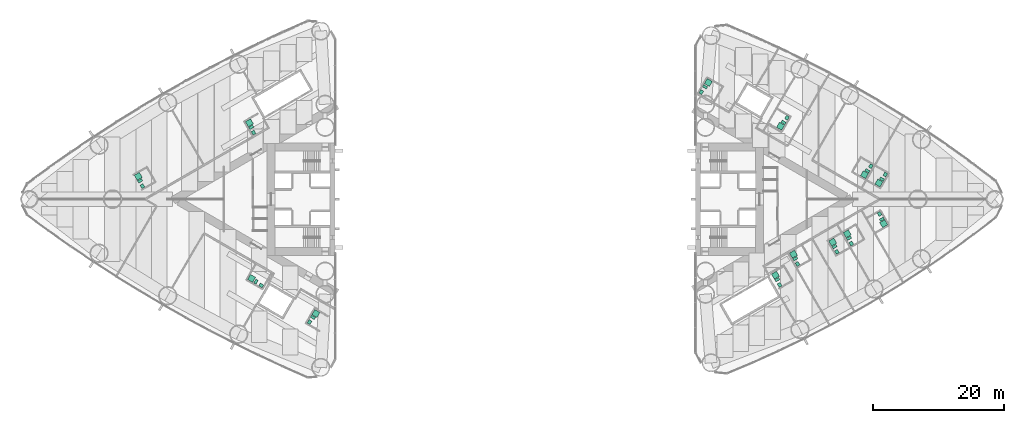
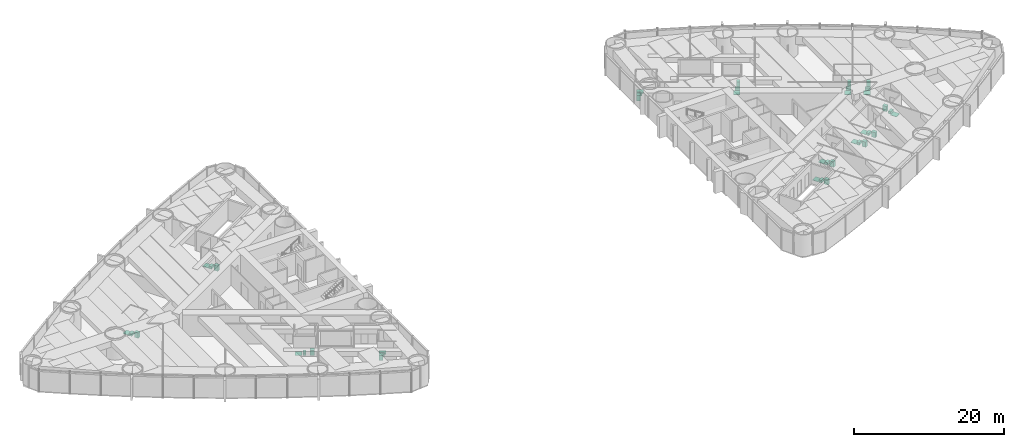
# One storey, part 18 of 18: 17 sanitary terminals.
"""IFC4 building model written with IfcOpenShell, lengths in metres."""

from ifc_helpers import new_model, si_unit, direction, frame, origin, origin_2d, place, context, subcontext, project, spatial, rectangle, extrude, material, type_object, element, save


model = new_model("IFC4")

# Units and contexts
model_context = context("Model", 3, precision=1e-05, world=origin(), true_north=direction((0.0, 1.0)))
body_context = subcontext(model_context, "Body", "Model", "MODEL_VIEW")
ifc_project = project(units=[si_unit("LENGTHUNIT", "METRE"), si_unit("AREAUNIT", "SQUARE_METRE"), si_unit("VOLUMEUNIT", "CUBIC_METRE"), si_unit("PLANEANGLEUNIT", "RADIAN"), si_unit("MASSUNIT", "GRAM", prefix="KILO")], contexts=[model_context])

# Site, building, storey
site_placement = place(None, origin())
site = spatial("IfcSite", under=ifc_project, at=site_placement, CompositionType="ELEMENT")
building_placement = place(site_placement, origin())
building = spatial("IfcBuilding", under=site, at=building_placement, Name="Lancet Gate Hotel", CompositionType="ELEMENT")
storey_placement = place(building_placement, frame((0.0, 0.0, 53.0)))
storey = spatial("IfcBuildingStorey", under=building, at=storey_placement, Name="L13", CompositionType="ELEMENT", Elevation=53.0)

# Sanitary terminals
ifc_material_1 = material(Name="Vitreous china sanitary ware")
sanitary_terminal_type_1 = type_object("IfcSanitaryTerminalType", Name="En-suite sanitary set (shower, WC, basin)", PredefinedType="USERDEFINED", material=ifc_material_1)
sanitary_terminal_1_placement = place(storey_placement, frame((-57.579833984375, 3.4921875, 0.0), z_axis=(0.0, 0.0, 1.0), x_axis=(1.0, 0.0, 0.0)))
element("IfcSanitaryTerminal", 1, at=sanitary_terminal_1_placement, inside=storey, type_object=sanitary_terminal_type_1, Name="En-suite sanitary set (shower, WC, basin) 1303", ObjectType="EN-SUITE SANITARY SET", PredefinedType="USERDEFINED", context=body_context, shape_type="SweptSolid", body=[
    extrude(rectangle(XDim=0.89990234375, YDim=0.89990234375, at=origin_2d()), frame((0.0, 0.0, 0.0), z_axis=(0.0, 0.0, 1.0), x_axis=(-0.5, 0.866025403784, 0.0)), (0.0, 0.0, 1.0), 0.050048828125),
    extrude(rectangle(XDim=0.39990234375, YDim=0.699951171875, at=origin_2d()), frame((0.2783203125, -0.682373046875, 0.0), z_axis=(0.0, 0.0, 1.0), x_axis=(-0.5, 0.866025403784, 0.0)), (0.0, 0.0, 1.0), 0.39990234375),
    extrude(rectangle(XDim=0.60009765625, YDim=0.5, at=origin_2d()), frame((0.6318359375, -1.494384765625, 0.0), z_axis=(0.0, 0.0, 1.0), x_axis=(-0.5, 0.866025403784, 0.0)), (0.0, 0.0, 1.0), 0.85009765625),
])
sanitary_terminal_2_placement = place(storey_placement, frame((-40.609619140625, 11.673095703125, 0.0), z_axis=(0.0, 0.0, 1.0), x_axis=(1.0, 0.0, 0.0)))
element("IfcSanitaryTerminal", 2, at=sanitary_terminal_2_placement, inside=storey, type_object=sanitary_terminal_type_1, Name="En-suite sanitary set (shower, WC, basin) 1302", ObjectType="EN-SUITE SANITARY SET", PredefinedType="USERDEFINED", context=body_context, shape_type="SweptSolid", body=[
    extrude(rectangle(XDim=0.89990234375, YDim=0.89990234375, at=origin_2d()), frame((0.0, 0.0, 0.0), z_axis=(0.0, 0.0, 1.0), x_axis=(-0.5, 0.866025403784, 0.0)), (0.0, 0.0, 1.0), 0.050048828125),
    extrude(rectangle(XDim=0.39990234375, YDim=0.699951171875, at=origin_2d()), frame((0.2783203125, -0.68212890625, 0.0), z_axis=(0.0, 0.0, 1.0), x_axis=(-0.5, 0.866025403784, 0.0)), (0.0, 0.0, 1.0), 0.39990234375),
    extrude(rectangle(XDim=0.60009765625, YDim=0.5, at=origin_2d()), frame((0.6318359375, -1.494140625, 0.0), z_axis=(0.0, 0.0, 1.0), x_axis=(-0.5, 0.866025403784, 0.0)), (0.0, 0.0, 1.0), 0.85009765625),
])
sanitary_terminal_3_placement = place(storey_placement, frame((-30.45166015625, -17.468505859375, 0.0), z_axis=(0.0, 0.0, 1.0), x_axis=(1.0, 0.0, 0.0)))
element("IfcSanitaryTerminal", 3, at=sanitary_terminal_3_placement, inside=storey, type_object=sanitary_terminal_type_1, Name="En-suite sanitary set (shower, WC, basin) 1308", ObjectType="EN-SUITE SANITARY SET", PredefinedType="USERDEFINED", context=body_context, shape_type="SweptSolid", body=[
    extrude(rectangle(XDim=0.89990234375, YDim=0.89990234375, at=origin_2d()), frame((0.0, 0.0, 0.0), z_axis=(0.0, 0.0, 1.0), x_axis=(0.5, 0.866025403784, 0.0)), (0.0, 0.0, 1.0), 0.050048828125),
    extrude(rectangle(XDim=0.39990234375, YDim=0.699951171875, at=origin_2d()), frame((-0.45166015625, -0.582275390625, 0.0), z_axis=(0.0, 0.0, 1.0), x_axis=(0.5, 0.866025403784, 0.0)), (0.0, 0.0, 1.0), 0.39990234375),
    extrude(rectangle(XDim=0.60009765625, YDim=0.5, at=origin_2d()), frame((-0.978271484375, -1.29443359375, 0.0), z_axis=(0.0, 0.0, 1.0), x_axis=(0.5, 0.866025403784, 0.0)), (0.0, 0.0, 1.0), 0.85009765625),
])
sanitary_terminal_4_placement = place(storey_placement, frame((42.490966796875, -8.401123046875, 0.0), z_axis=(0.0, 0.0, 1.0), x_axis=(1.0, 0.0, 0.0)))
element("IfcSanitaryTerminal", 4, at=sanitary_terminal_4_placement, inside=storey, type_object=sanitary_terminal_type_1, Name="En-suite sanitary set (shower, WC, basin) 1354", ObjectType="EN-SUITE SANITARY SET", PredefinedType="USERDEFINED", context=body_context, shape_type="SweptSolid", body=[
    extrude(rectangle(XDim=0.89990234375, YDim=0.89990234375, at=origin_2d()), frame((0.0, 0.0, 0.0), z_axis=(0.0, 0.0, 1.0), x_axis=(-0.5, 0.866025403784, 0.0)), (0.0, 0.0, 1.0), 0.050048828125),
    extrude(rectangle(XDim=0.39990234375, YDim=0.699951171875, at=origin_2d()), frame((0.2783203125, -0.682373046875, 0.0), z_axis=(0.0, 0.0, 1.0), x_axis=(-0.5, 0.866025403784, 0.0)), (0.0, 0.0, 1.0), 0.39990234375),
    extrude(rectangle(XDim=0.60009765625, YDim=0.5, at=origin_2d()), frame((0.6318359375, -1.494384765625, 0.0), z_axis=(0.0, 0.0, 1.0), x_axis=(-0.5, 0.866025403784, 0.0)), (0.0, 0.0, 1.0), 0.85009765625),
])
sanitary_terminal_5_placement = place(storey_placement, frame((48.494873046875, -6.551513671875, 0.0), z_axis=(0.0, 0.0, 1.0), x_axis=(1.0, 0.0, 0.0)))
element("IfcSanitaryTerminal", 5, at=sanitary_terminal_5_placement, inside=storey, type_object=sanitary_terminal_type_1, Name="En-suite sanitary set (shower, WC, basin) 1355", ObjectType="EN-SUITE SANITARY SET", PredefinedType="USERDEFINED", context=body_context, shape_type="SweptSolid", body=[
    extrude(rectangle(XDim=0.89990234375, YDim=0.89990234375, at=origin_2d()), frame((0.0, 0.0, 0.0), z_axis=(0.0, 0.0, 1.0), x_axis=(-0.5, 0.866025403784, 0.0)), (0.0, 0.0, 1.0), 0.050048828125),
    extrude(rectangle(XDim=0.39990234375, YDim=0.699951171875, at=origin_2d()), frame((0.2783203125, -0.68212890625, 0.0), z_axis=(0.0, 0.0, 1.0), x_axis=(-0.5, 0.866025403784, 0.0)), (0.0, 0.0, 1.0), 0.39990234375),
    extrude(rectangle(XDim=0.60009765625, YDim=0.5, at=origin_2d()), frame((0.631591796875, -1.494384765625, 0.0), z_axis=(0.0, 0.0, 1.0), x_axis=(-0.5, 0.866025403784, 0.0)), (0.0, 0.0, 1.0), 0.85009765625),
])
sanitary_terminal_6_placement = place(storey_placement, frame((50.703125, -5.276611328125, 0.0), z_axis=(0.0, 0.0, 1.0), x_axis=(1.0, 0.0, 0.0)))
element("IfcSanitaryTerminal", 6, at=sanitary_terminal_6_placement, inside=storey, type_object=sanitary_terminal_type_1, Name="En-suite sanitary set (shower, WC, basin) 1356", ObjectType="EN-SUITE SANITARY SET", PredefinedType="USERDEFINED", context=body_context, shape_type="SweptSolid", body=[
    extrude(rectangle(XDim=0.89990234375, YDim=0.89990234375, at=origin_2d()), frame((0.0, 0.0, 0.0), z_axis=(0.0, 0.0, 1.0), x_axis=(-0.5, 0.866025403784, 0.0)), (0.0, 0.0, 1.0), 0.050048828125),
    extrude(rectangle(XDim=0.39990234375, YDim=0.699951171875, at=origin_2d()), frame((0.2783203125, -0.68212890625, 0.0), z_axis=(0.0, 0.0, 1.0), x_axis=(-0.5, 0.866025403784, 0.0)), (0.0, 0.0, 1.0), 0.39990234375),
    extrude(rectangle(XDim=0.60009765625, YDim=0.5, at=origin_2d()), frame((0.6318359375, -1.494140625, 0.0), z_axis=(0.0, 0.0, 1.0), x_axis=(-0.5, 0.866025403784, 0.0)), (0.0, 0.0, 1.0), 0.85009765625),
])
sanitary_terminal_7_placement = place(storey_placement, frame((56.279541015625, -3.742919921875, 0.0), z_axis=(0.0, 0.0, 1.0), x_axis=(1.0, 0.0, 0.0)))
element("IfcSanitaryTerminal", 7, at=sanitary_terminal_7_placement, inside=storey, type_object=sanitary_terminal_type_1, Name="En-suite sanitary set (shower, WC, basin) 1357", ObjectType="EN-SUITE SANITARY SET", PredefinedType="USERDEFINED", context=body_context, shape_type="SweptSolid", body=[
    extrude(rectangle(XDim=0.89990234375, YDim=0.89990234375, at=origin_2d()), frame((0.0, 0.0, 0.0), z_axis=(0.0, 0.0, 1.0), x_axis=(0.5, -0.866025403784, 0.0)), (0.0, 0.0, 1.0), 0.050048828125),
    extrude(rectangle(XDim=0.39990234375, YDim=0.699951171875, at=origin_2d()), frame((-0.2783203125, 0.682373046875, 0.0), z_axis=(0.0, 0.0, 1.0), x_axis=(0.5, -0.866025403784, 0.0)), (0.0, 0.0, 1.0), 0.39990234375),
    extrude(rectangle(XDim=0.60009765625, YDim=0.5, at=origin_2d()), frame((-0.6318359375, 1.494384765625, 0.0), z_axis=(0.0, 0.0, 1.0), x_axis=(0.5, -0.866025403784, 0.0)), (0.0, 0.0, 1.0), 0.85009765625),
])
sanitary_terminal_8_placement = place(storey_placement, frame((55.549560546875, 2.478515625, 0.0), z_axis=(0.0, 0.0, 1.0), x_axis=(1.0, 0.0, 0.0)))
element("IfcSanitaryTerminal", 8, at=sanitary_terminal_8_placement, inside=storey, type_object=sanitary_terminal_type_1, Name="En-suite sanitary set (shower, WC, basin) 1358", ObjectType="EN-SUITE SANITARY SET", PredefinedType="USERDEFINED", context=body_context, shape_type="SweptSolid", body=[
    extrude(rectangle(XDim=0.89990234375, YDim=0.89990234375, at=origin_2d()), frame((0.0, 0.0, 0.0), z_axis=(0.0, 0.0, 1.0), x_axis=(-0.5, -0.866025403784, 0.0)), (0.0, 0.0, 1.0), 0.050048828125),
    extrude(rectangle(XDim=0.39990234375, YDim=0.699951171875, at=origin_2d()), frame((0.45166015625, 0.58203125, 0.0), z_axis=(0.0, 0.0, 1.0), x_axis=(-0.5, -0.866025403784, 0.0)), (0.0, 0.0, 1.0), 0.39990234375),
    extrude(rectangle(XDim=0.60009765625, YDim=0.5, at=origin_2d()), frame((0.97802734375, 1.294189453125, 0.0), z_axis=(0.0, 0.0, 1.0), x_axis=(-0.5, -0.866025403784, 0.0)), (0.0, 0.0, 1.0), 0.85009765625),
])
for number, where, z_axis, x_axis, name in (
    (9, (53.341064453125, 3.75341796875, 0.0), (0.0, 0.0, 1.0), (1.0, 0.0, 0.0), "En-suite sanitary set (shower, WC, basin) 1359"),
    (10, (40.530029296875, 11.14990234375, 0.0), (0.0, 0.0, 1.0), (1.0, 0.0, 0.0), "En-suite sanitary set (shower, WC, basin) 1362"),
):
    element("IfcSanitaryTerminal", number, at=place(storey_placement, frame(where, z_axis=z_axis, x_axis=x_axis)), inside=storey, type_object=sanitary_terminal_type_1, Name=name, ObjectType="EN-SUITE SANITARY SET", PredefinedType="USERDEFINED", context=body_context, shape_type="SweptSolid", body=[
        extrude(rectangle(XDim=0.89990234375, YDim=0.89990234375, at=origin_2d()), frame((0.0, 0.0, 0.0), z_axis=(0.0, 0.0, 1.0), x_axis=(-0.5, -0.866025403784, 0.0)), (0.0, 0.0, 1.0), 0.050048828125),
        extrude(rectangle(XDim=0.39990234375, YDim=0.699951171875, at=origin_2d()), frame((0.45166015625, 0.582275390625, 0.0), z_axis=(0.0, 0.0, 1.0), x_axis=(-0.5, -0.866025403784, 0.0)), (0.0, 0.0, 1.0), 0.39990234375),
        extrude(rectangle(XDim=0.60009765625, YDim=0.5, at=origin_2d()), frame((0.978271484375, 1.294189453125, 0.0), z_axis=(0.0, 0.0, 1.0), x_axis=(-0.5, -0.866025403784, 0.0)), (0.0, 0.0, 1.0), 0.85009765625),
    ])
sanitary_terminal_9_placement = place(storey_placement, frame((39.74853515625, -11.60107421875, 0.0), z_axis=(0.0, 0.0, 1.0), x_axis=(1.0, 0.0, 0.0)))
element("IfcSanitaryTerminal", 11, at=sanitary_terminal_9_placement, inside=storey, type_object=sanitary_terminal_type_1, Name="En-suite sanitary set (shower, WC, basin) 1353", ObjectType="EN-SUITE SANITARY SET", PredefinedType="USERDEFINED", context=body_context, shape_type="SweptSolid", body=[
    extrude(rectangle(XDim=0.89990234375, YDim=0.89990234375, at=origin_2d()), frame((0.0, 0.0, 0.0), z_axis=(0.0, 0.0, 1.0), x_axis=(-0.5, 0.866025403784, 0.0)), (0.0, 0.0, 1.0), 0.050048828125),
    extrude(rectangle(XDim=0.39990234375, YDim=0.699951171875, at=origin_2d()), frame((0.2783203125, -0.68212890625, 0.0), z_axis=(0.0, 0.0, 1.0), x_axis=(-0.5, 0.866025403784, 0.0)), (0.0, 0.0, 1.0), 0.39990234375),
    extrude(rectangle(XDim=0.60009765625, YDim=0.5, at=origin_2d()), frame((0.6318359375, -1.494384765625, 0.0), z_axis=(0.0, 0.0, 1.0), x_axis=(-0.5, 0.866025403784, 0.0)), (0.0, 0.0, 1.0), 0.85009765625),
])
ifc_material_2 = material(Name="Stone resin shower tray", Category="masonry")
sanitary_terminal_type_2 = type_object("IfcSanitaryTerminalType", Name="Shower tray 900", PredefinedType="SHOWER", material=ifc_material_2)
for number, where, z_axis, x_axis, name in (
    (12, (-40.2763671875, -12.0966796875, 0.0), (0.0, 0.0, 1.0), (-0.866025403784, 0.5, 0.0), "Shower tray 900 1307"),
    (13, (29.490478515625, 17.82373046875, 0.0), (0.0, 0.0, 1.0), (0.5, 0.866025403784, 0.0), "Shower tray 900 1364"),
):
    element("IfcSanitaryTerminal", number, at=place(storey_placement, frame(where, z_axis=z_axis, x_axis=x_axis)), inside=storey, type_object=sanitary_terminal_type_2, Name=name, PredefinedType="SHOWER", context=body_context, shape_type="SweptSolid", body=[
        extrude(rectangle(XDim=0.89990234375, YDim=0.89990234375, at=origin_2d()), origin(), (0.0, 0.0, 1.0), 0.050048828125),
    ])
ifc_material_3 = material(Name="Vitreous china sanitary ware")
sanitary_terminal_type_3 = type_object("IfcSanitaryTerminalType", Name="Vanity basin 600", PredefinedType="WASHHANDBASIN", material=ifc_material_3)
for number, where, z_axis, x_axis, name in (
    (14, (-38.808837890625, -13.1748046875, 0.0), (0.0, 0.0, 1.0), (-0.866025403784, 0.5, 0.0), "Vanity basin 600 1307"),
    (15, (28.412353515625, 16.356201171875, 0.0), (0.0, 0.0, 1.0), (0.5, 0.866025403784, 0.0), "Vanity basin 600 1364"),
):
    element("IfcSanitaryTerminal", number, at=place(storey_placement, frame(where, z_axis=z_axis, x_axis=x_axis)), inside=storey, type_object=sanitary_terminal_type_3, Name=name, PredefinedType="WASHHANDBASIN", context=body_context, shape_type="SweptSolid", body=[
        extrude(rectangle(XDim=0.60009765625, YDim=0.5, at=origin_2d()), origin(), (0.0, 0.0, 1.0), 0.85009765625),
    ])
ifc_material_4 = material(Name="Vitreous china sanitary ware")
sanitary_terminal_type_4 = type_object("IfcSanitaryTerminalType", Name="WC pan wall hung", PredefinedType="TOILETPAN", material=ifc_material_4)
for number, where, z_axis, x_axis, name in (
    (16, (-39.607421875, -12.59814453125, 0.0), (0.0, 0.0, 1.0), (-0.866025403784, 0.5, 0.0), "WC pan wall hung 1307"),
    (17, (28.989013671875, 17.155029296875, 0.0), (0.0, 0.0, 1.0), (0.5, 0.866025403784, 0.0), "WC pan wall hung 1364"),
):
    element("IfcSanitaryTerminal", number, at=place(storey_placement, frame(where, z_axis=z_axis, x_axis=x_axis)), inside=storey, type_object=sanitary_terminal_type_4, Name=name, PredefinedType="TOILETPAN", context=body_context, shape_type="SweptSolid", body=[
        extrude(rectangle(XDim=0.39990234375, YDim=0.699951171875, at=origin_2d()), origin(), (0.0, 0.0, 1.0), 0.39990234375),
    ])

save(model, "model.ifc")
